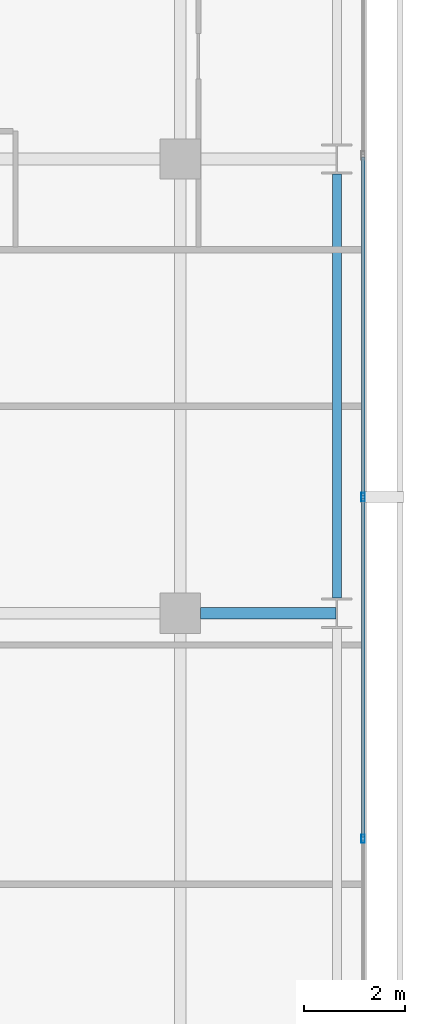
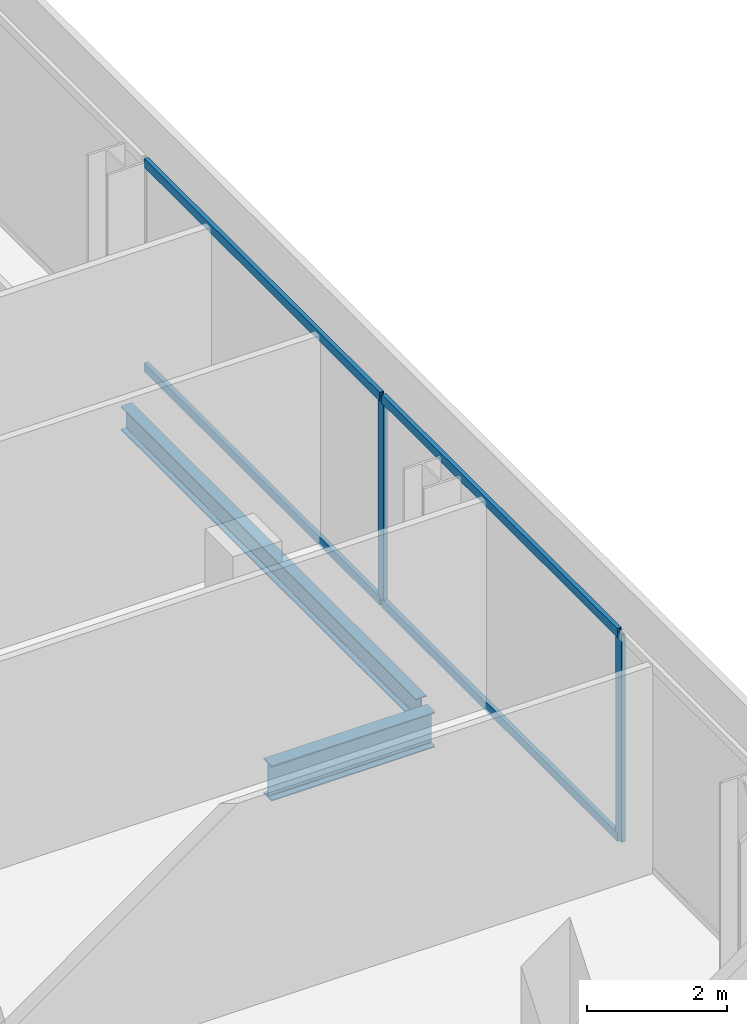
# One storey, part 17 of 33: 6 members, 2 beams, 1 element without a shape of its own.
"""IFC4 building model written with IfcOpenShell, lengths in metres."""

from ifc_helpers import new_model, si_unit, direction, frame, origin, origin_2d, place, context, subcontext, project, spatial, hollow_rectangle, i_section, extrude, material, layer, layer_set, material_profile, profile_set, type_object, element, aggregate, save


model = new_model("IFC4")

# Units and contexts
model_context = context("Model", 3, precision=1e-05, world=origin(), true_north=direction((0.0, 1.0)))
body_context = subcontext(model_context, "Body", "Model", "MODEL_VIEW")
ifc_project = project(units=[si_unit("LENGTHUNIT", "METRE"), si_unit("AREAUNIT", "SQUARE_METRE"), si_unit("VOLUMEUNIT", "CUBIC_METRE"), si_unit("PLANEANGLEUNIT", "RADIAN"), si_unit("MASSUNIT", "GRAM", prefix="KILO")], contexts=[model_context])

# Site, building, storey
site_placement = place(None, origin())
site = spatial("IfcSite", under=ifc_project, at=site_placement, CompositionType="ELEMENT")
building_placement = place(site_placement, origin())
building = spatial("IfcBuilding", under=site, at=building_placement, Name="Maruvema Waterfront Hotel and Observation Tower", CompositionType="ELEMENT")
storey_placement = place(building_placement, frame((0.0, 0.0, 142.800048828125)))
storey = spatial("IfcBuildingStorey", under=building, at=storey_placement, Name="L34", CompositionType="ELEMENT", Elevation=142.800048828125)

# Curtain wall, members
ifc_material_1 = material(Name="Anodised bronze aluminium and solar-control low-E IGU", Category="aluminium")
ifc_layer = layer(ifc_material_1, 0.159912109375, Name="Zone 2 Amber Inner Thermal Curtain Wall System CW-03")
ifc_layer_set = layer_set([ifc_layer], Name="Anodised bronze aluminium and solar-control low-E IGU")
curtain_wall_type = type_object("IfcCurtainWallType", Name="Zone 2 Amber Inner Thermal Curtain Wall System CW-03", PredefinedType="USERDEFINED", material=ifc_layer_set)
curtain_wall_placement = place(storey_placement, origin())
curtain_wall = element("IfcCurtainWall", 1, at=curtain_wall_placement, inside=storey, type_object=curtain_wall_type, Name="L34 Curtain Wall CW-L34-E", ObjectType="UNITISED CURTAIN WALL", PredefinedType="USERDEFINED")
ifc_material_2 = material(Name="Anodised architectural bronze aluminium", Category="aluminium")
ifc_material_profile_1 = material_profile(ifc_material_2, hollow_rectangle(XDim=0.070068359375, YDim=0.14990234375, WallThickness=0.00390625, at=origin_2d()), Name="ALU-T70x150")
ifc_profile_set_1 = profile_set([ifc_material_profile_1], Name="Anodised architectural bronze aluminium")
member_type_1 = type_object("IfcMemberType", Name="Curtain Wall Horizontal Transom ALU-T70x150", PredefinedType="USERDEFINED", material=ifc_profile_set_1)
member_1_placement = place(storey_placement, frame((62.419921875, 22.563232421875, 0.030029296875), z_axis=(0.0, 1.0, 0.0), x_axis=(-1.0, 0.0, 0.0)))
member_1 = element("IfcMember", 2, at=member_1_placement, type_object=member_type_1, Name="CW-03 transom 3.1", ObjectType="TRANSOM", PredefinedType="USERDEFINED", context=body_context, shape_type="SweptSolid", body=[
    extrude(hollow_rectangle(XDim=0.070068359375, YDim=0.14990234375, WallThickness=0.00390625, at=origin_2d()), origin(), (0.0, 0.0, 1.0), 6.706787109375),
])
member_2_placement = place(storey_placement, frame((62.419921875, 22.563232421875, 3.579833984375), z_axis=(0.0, 1.0, 0.0), x_axis=(-1.0, 0.0, 0.0)))
member_2 = element("IfcMember", 3, at=member_2_placement, type_object=member_type_1, Name="CW-03 transom 3.2", ObjectType="TRANSOM", PredefinedType="USERDEFINED", context=body_context, shape_type="SweptSolid", body=[
    extrude(hollow_rectangle(XDim=0.070068359375, YDim=0.14990234375, WallThickness=0.00390625, at=origin_2d()), origin(), (0.0, 0.0, 1.0), 6.706787109375),
])
member_3_placement = place(storey_placement, frame((62.419921875, 29.330078125, 0.030029296875), z_axis=(0.0, 1.0, 0.0), x_axis=(-1.0, 0.0, 0.0)))
member_3 = element("IfcMember", 4, at=member_3_placement, type_object=member_type_1, Name="CW-03 transom 4.1", ObjectType="TRANSOM", PredefinedType="USERDEFINED", context=body_context, shape_type="SweptSolid", body=[
    extrude(hollow_rectangle(XDim=0.070068359375, YDim=0.14990234375, WallThickness=0.00390625, at=origin_2d()), origin(), (0.0, 0.0, 1.0), 6.70654296875),
])
member_4_placement = place(storey_placement, frame((62.419921875, 29.330078125, 3.579833984375), z_axis=(0.0, 1.0, 0.0), x_axis=(-1.0, 0.0, 0.0)))
member_4 = element("IfcMember", 5, at=member_4_placement, type_object=member_type_1, Name="CW-03 transom 4.2", ObjectType="TRANSOM", PredefinedType="USERDEFINED", context=body_context, shape_type="SweptSolid", body=[
    extrude(hollow_rectangle(XDim=0.070068359375, YDim=0.14990234375, WallThickness=0.00390625, at=origin_2d()), origin(), (0.0, 0.0, 1.0), 6.70654296875),
])
ifc_material_3 = material(Name="Anodised architectural bronze aluminium", Category="aluminium")
ifc_material_profile_2 = material_profile(ifc_material_3, hollow_rectangle(XDim=0.06494140625, YDim=0.1650390625, WallThickness=0.00390625, at=origin_2d()), Name="ALU-M65x165")
ifc_profile_set_2 = profile_set([ifc_material_profile_2], Name="Anodised architectural bronze aluminium")
member_type_2 = type_object("IfcMemberType", Name="Curtain Wall Primary Mullion ALU-M65x165", PredefinedType="MULLION", material=ifc_profile_set_2)
member_5_placement = place(storey_placement, frame((62.419921875, 22.533447265625, 0.0), z_axis=(0.0, 0.0, 1.0), x_axis=(-1.0, 0.0, 0.0)))
member_5 = element("IfcMember", 6, at=member_5_placement, type_object=member_type_2, Name="CW-03 mullion 3", PredefinedType="MULLION", context=body_context, shape_type="SweptSolid", body=[
    extrude(hollow_rectangle(XDim=0.06494140625, YDim=0.1650390625, WallThickness=0.00390625, at=origin_2d()), origin(), (0.0, 0.0, 1.0), 3.60986328125),
])
member_6_placement = place(storey_placement, frame((62.419921875, 29.300048828125, 0.0), z_axis=(0.0, 0.0, 1.0), x_axis=(-1.0, 0.0, 0.0)))
member_6 = element("IfcMember", 7, at=member_6_placement, type_object=member_type_2, Name="CW-03 mullion 4", PredefinedType="MULLION", context=body_context, shape_type="SweptSolid", body=[
    extrude(hollow_rectangle(XDim=0.06494140625, YDim=0.1650390625, WallThickness=0.00390625, at=origin_2d()), origin(), (0.0, 0.0, 1.0), 3.60986328125),
])
aggregate(curtain_wall, [member_5, member_6, member_1, member_2, member_3, member_4])

# Beams
ifc_material_4 = material(Name="Steel ASTM A572 Grade 50", Category="steel")
ifc_material_profile_3 = material_profile(ifc_material_4, i_section(OverallWidth=0.180908203125, OverallDepth=0.4169921875, WebThickness=0.010986328125, FlangeThickness=0.018310546875, FilletRadius=0.014892578125, at=origin_2d()), Name="W410x85.0")
ifc_profile_set_3 = profile_set([ifc_material_profile_3], Name="Steel ASTM A572 Grade 50")
beam_type_1 = type_object("IfcBeamType", Name="Perimeter Spandrel Beam W410x85.0", PredefinedType="SPANDREL", material=ifc_profile_set_3)
beam_1_placement = place(storey_placement, frame((61.89990234375, 27.300048828125, -0.448486328125), z_axis=(0.0, 1.0, 0.0), x_axis=(-1.0, 0.0, 0.0)))
element("IfcBeam", 8, at=beam_1_placement, inside=storey, type_object=beam_type_1, Name="L34 Floor Girder NS-31", PredefinedType="SPANDREL", context=body_context, shape_type="SweptSolid", body=[
    extrude(i_section(OverallWidth=0.180908203125, OverallDepth=0.4169921875, WebThickness=0.010986328125, FlangeThickness=0.018310546875, FilletRadius=0.014892578125, at=origin_2d()), origin(), (0.0, 0.0, 1.0), 8.39990234375),
])
ifc_material_5 = material(Name="Steel ASTM A572 Grade 50", Category="steel")
ifc_material_profile_4 = material_profile(ifc_material_5, i_section(OverallWidth=0.22900390625, OverallDepth=0.612060546875, WebThickness=0.011962890625, FlangeThickness=0.01953125, FilletRadius=0.01806640625, at=origin_2d()), Name="W610x125.0")
ifc_profile_set_4 = profile_set([ifc_material_profile_4], Name="Steel ASTM A572 Grade 50")
beam_type_2 = type_object("IfcBeamType", Name="Primary Floor Girder W610x125.0", PredefinedType="BEAM", material=ifc_profile_set_4)
beam_2_placement = place(storey_placement, frame((59.199951171875, 27.0, -0.546142578125), z_axis=(1.0, 0.0, 0.0), x_axis=(0.0, 1.0, 0.0)))
element("IfcBeam", 9, at=beam_2_placement, inside=storey, type_object=beam_type_2, Name="L34 Floor Girder EW-22", PredefinedType="BEAM", context=body_context, shape_type="SweptSolid", body=[
    extrude(i_section(OverallWidth=0.22900390625, OverallDepth=0.612060546875, WebThickness=0.011962890625, FlangeThickness=0.01953125, FilletRadius=0.01806640625, at=origin_2d()), origin(), (0.0, 0.0, 1.0), 2.6875),
])

save(model, "model.ifc")
